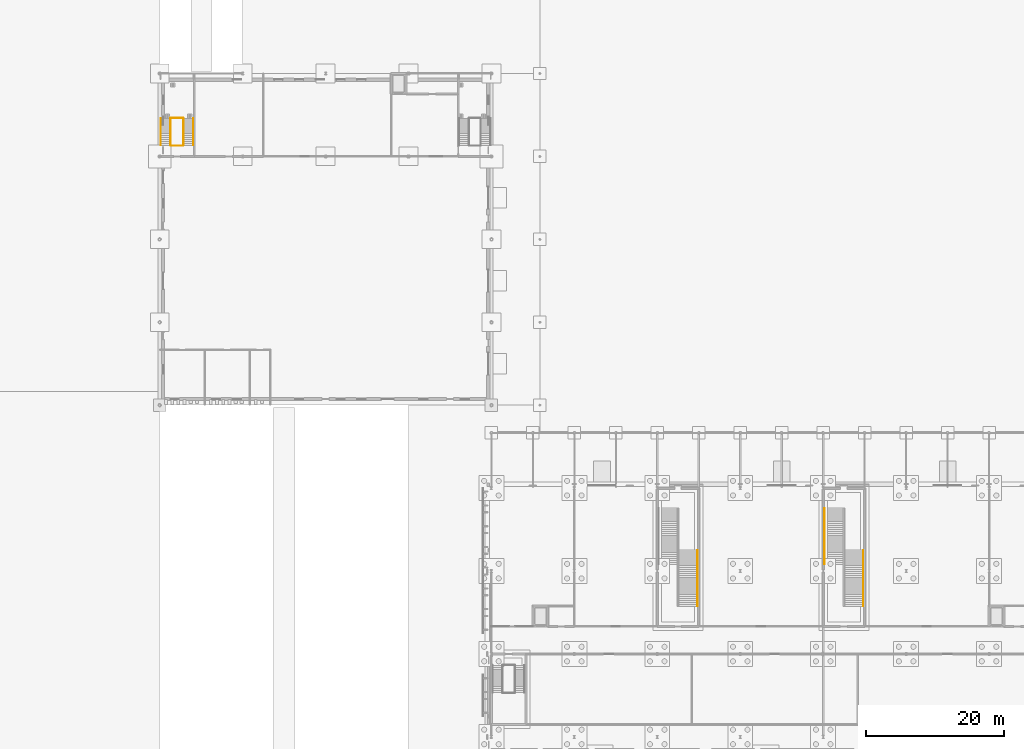
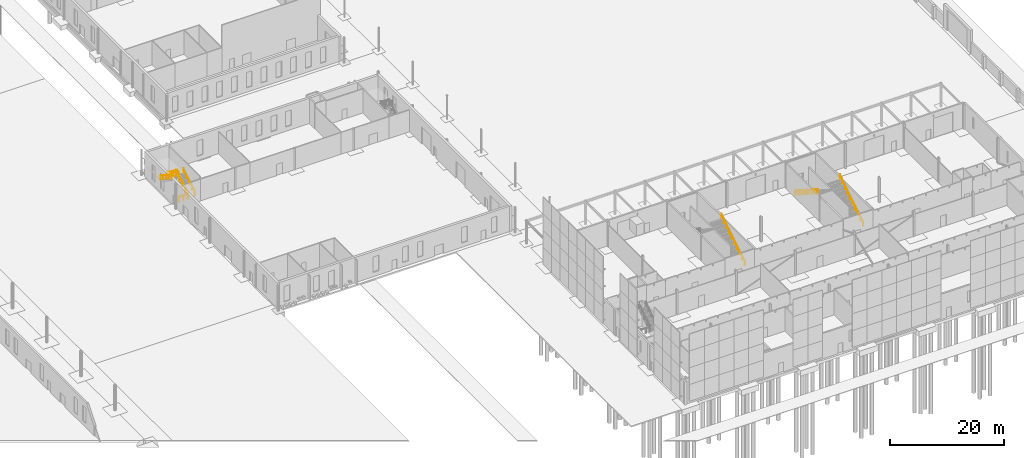
# One storey, part 123 of 132: 9 railings.
"""IFC4 building model written with IfcOpenShell, lengths in metres."""

from ifc_helpers import new_model, si_unit, direction, frame, origin, origin_2d, place, context, subcontext, project, spatial, circle, extrude, material, type_object, element, save


model = new_model("IFC4")

# Units and contexts
model_context = context("Model", 3, precision=1e-05, world=origin(), true_north=direction((0.0, 1.0)))
body_context = subcontext(model_context, "Body", "Model", "MODEL_VIEW")
ifc_project = project(units=[si_unit("LENGTHUNIT", "METRE"), si_unit("AREAUNIT", "SQUARE_METRE"), si_unit("VOLUMEUNIT", "CUBIC_METRE"), si_unit("PLANEANGLEUNIT", "RADIAN"), si_unit("MASSUNIT", "GRAM", prefix="KILO")], contexts=[model_context])

# Site, building, storey
site_placement = place(None, origin())
site = spatial("IfcSite", under=ifc_project, at=site_placement, CompositionType="ELEMENT")
building_placement = place(site_placement, origin())
building = spatial("IfcBuilding", under=site, at=building_placement, Name="Ravi Spectrum Wholesale Market", CompositionType="ELEMENT")
storey_placement = place(building_placement, origin())
storey = spatial("IfcBuildingStorey", under=building, at=storey_placement, Name="L00", CompositionType="ELEMENT", Elevation=0.0)

# Railings
ifc_material_1 = material(Name="Steel S355", Category="steel")
railing_type_1 = type_object("IfcRailingType", Name="Guard 1100", PredefinedType="GUARDRAIL", material=ifc_material_1)
railing_1_placement = place(storey_placement, frame((153.449951171875, 115.60009765625, 0.179931640625)))
element("IfcRailing", 1, at=railing_1_placement, inside=storey, type_object=railing_type_1, Name="L00 S-H2-2 stair guard 1", PredefinedType="GUARDRAIL", context=body_context, shape_type="SweptSolid", body=[
    extrude(circle(Radius=0.02392578125, at=origin_2d()), frame((0.0, 0.0, 1.076171875), z_axis=(0.0, 0.841171666519, 0.540768182723), x_axis=(-1.0, 0.0, 0.0)), (0.0, 0.0, 1.0), 4.66015625),
    extrude(circle(Radius=0.02099609375, at=origin_2d()), origin(), (0.0, 0.0, 1.0), 1.052001953125),
    extrude(circle(Radius=0.02099609375, at=origin_2d()), frame((0.0, 0.97998046875, 0.6298828125)), (0.0, 0.0, 1.0), 1.052001953125),
    extrude(circle(Radius=0.02099609375, at=origin_2d()), frame((0.0, 1.9599609375, 1.260009765625)), (0.0, 0.0, 1.0), 1.052001953125),
    extrude(circle(Radius=0.02099609375, at=origin_2d()), frame((0.0, 2.93994140625, 1.89013671875)), (0.0, 0.0, 1.0), 1.052001953125),
    extrude(circle(Radius=0.02099609375, at=origin_2d()), frame((0.0, 3.919921875, 2.52001953125)), (0.0, 0.0, 1.0), 1.052001953125),
])
railing_2_placement = place(storey_placement, frame((153.39990234375, 119.570068359375, 2.699951171875)))
element("IfcRailing", 2, at=railing_2_placement, inside=storey, type_object=railing_type_1, Name="L00 S-H2-2 stair guard 2", PredefinedType="GUARDRAIL", context=body_context, shape_type="SweptSolid", body=[
    extrude(circle(Radius=0.02392578125, at=origin_2d()), frame((0.0, 0.0, 1.076171875), z_axis=(-1.0, 0.0, 0.0), x_axis=(0.0, -1.0, 0.0)), (0.0, 0.0, 1.0), 1.7998046875),
    extrude(circle(Radius=0.02099609375, at=origin_2d()), origin(), (0.0, 0.0, 1.0), 1.052001953125),
    extrude(circle(Radius=0.02099609375, at=origin_2d()), frame((-0.89990234375, 0.0, 0.0)), (0.0, 0.0, 1.0), 1.052001953125),
    extrude(circle(Radius=0.02099609375, at=origin_2d()), frame((-1.7998046875, 0.0, 0.0)), (0.0, 0.0, 1.0), 1.052001953125),
])
railing_3_placement = place(storey_placement, frame((151.550048828125, 119.52001953125, 2.8798828125)))
element("IfcRailing", 3, at=railing_3_placement, inside=storey, type_object=railing_type_1, Name="L00 S-H2-2 stair guard 3", PredefinedType="GUARDRAIL", context=body_context, shape_type="SweptSolid", body=[
    extrude(circle(Radius=0.02392578125, at=origin_2d()), frame((0.0, 0.0, 1.076171875), z_axis=(0.0, -0.841171666519, 0.540768182723), x_axis=(1.0, 0.0, 0.0)), (0.0, 0.0, 1.0), 4.66015625),
    extrude(circle(Radius=0.02099609375, at=origin_2d()), origin(), (0.0, 0.0, 1.0), 1.052001953125),
    extrude(circle(Radius=0.02099609375, at=origin_2d()), frame((0.0, -0.97998046875, 0.6298828125)), (0.0, 0.0, 1.0), 1.052001953125),
    extrude(circle(Radius=0.02099609375, at=origin_2d()), frame((0.0, -1.9599609375, 1.260009765625)), (0.0, 0.0, 1.0), 1.052001953125),
    extrude(circle(Radius=0.02099609375, at=origin_2d()), frame((0.0, -2.93994140625, 1.89013671875)), (0.0, 0.0, 1.0), 1.052001953125),
    extrude(circle(Radius=0.02099609375, at=origin_2d()), frame((0.0, -3.919921875, 2.52001953125)), (0.0, 0.0, 1.0), 1.052001953125),
])
railing_4_placement = place(storey_placement, frame((153.39990234375, 115.550048828125, 0.0)))
element("IfcRailing", 4, at=railing_4_placement, inside=storey, type_object=railing_type_1, Name="L00 S-H2-2 stair guard 4", PredefinedType="GUARDRAIL", context=body_context, shape_type="SweptSolid", body=[
    extrude(circle(Radius=0.02392578125, at=origin_2d()), frame((0.0, 0.0, 1.076171875), z_axis=(-1.0, 0.0, 0.0), x_axis=(0.0, -1.0, 0.0)), (0.0, 0.0, 1.0), 1.7998046875),
    extrude(circle(Radius=0.02099609375, at=origin_2d()), origin(), (0.0, 0.0, 1.0), 1.052001953125),
    extrude(circle(Radius=0.02099609375, at=origin_2d()), frame((-0.89990234375, 0.0, 0.0)), (0.0, 0.0, 1.0), 1.052001953125),
    extrude(circle(Radius=0.02099609375, at=origin_2d()), frame((-1.7998046875, 0.0, 0.0)), (0.0, 0.0, 1.0), 1.052001953125),
])
ifc_material_2 = material(Name="Stainless steel", Category="steel")
railing_type_2 = type_object("IfcRailingType", Name="Handrail 900", PredefinedType="HANDRAIL", material=ifc_material_2)
railing_5_placement = place(storey_placement, frame((154.85009765625, 115.60009765625, 0.179931640625)))
element("IfcRailing", 5, at=railing_5_placement, inside=storey, type_object=railing_type_2, Name="L00 S-H2-2 stair handrail 1", PredefinedType="HANDRAIL", context=body_context, shape_type="SweptSolid", body=[
    extrude(circle(Radius=0.02392578125, at=origin_2d()), frame((0.0, 0.0, 0.8759765625), z_axis=(0.0, 0.841171666519, 0.540768182723), x_axis=(-1.0, 0.0, 0.0)), (0.0, 0.0, 1.0), 4.66015625),
    extrude(circle(Radius=0.02099609375, at=origin_2d()), origin(), (0.0, 0.0, 1.0), 0.851806640625),
    extrude(circle(Radius=0.02099609375, at=origin_2d()), frame((0.0, 0.97998046875, 0.6298828125)), (0.0, 0.0, 1.0), 0.851806640625),
    extrude(circle(Radius=0.02099609375, at=origin_2d()), frame((0.0, 1.9599609375, 1.260009765625)), (0.0, 0.0, 1.0), 0.851806640625),
    extrude(circle(Radius=0.02099609375, at=origin_2d()), frame((0.0, 2.93994140625, 1.89013671875)), (0.0, 0.0, 1.0), 0.851806640625),
    extrude(circle(Radius=0.02099609375, at=origin_2d()), frame((0.0, 3.919921875, 2.52001953125)), (0.0, 0.0, 1.0), 0.851806640625),
])
railing_6_placement = place(storey_placement, frame((150.14990234375, 119.52001953125, 2.8798828125)))
element("IfcRailing", 6, at=railing_6_placement, inside=storey, type_object=railing_type_2, Name="L00 S-H2-2 stair handrail 2", PredefinedType="HANDRAIL", context=body_context, shape_type="SweptSolid", body=[
    extrude(circle(Radius=0.02392578125, at=origin_2d()), frame((0.0, 0.0, 0.8759765625), z_axis=(0.0, -0.841171666519, 0.540768182723), x_axis=(1.0, 0.0, 0.0)), (0.0, 0.0, 1.0), 4.66015625),
    extrude(circle(Radius=0.02099609375, at=origin_2d()), origin(), (0.0, 0.0, 1.0), 0.851806640625),
    extrude(circle(Radius=0.02099609375, at=origin_2d()), frame((0.0, -0.97998046875, 0.6298828125)), (0.0, 0.0, 1.0), 0.851806640625),
    extrude(circle(Radius=0.02099609375, at=origin_2d()), frame((0.0, -1.9599609375, 1.260009765625)), (0.0, 0.0, 1.0), 0.851806640625),
    extrude(circle(Radius=0.02099609375, at=origin_2d()), frame((0.0, -2.93994140625, 1.89013671875)), (0.0, 0.0, 1.0), 0.851806640625),
    extrude(circle(Radius=0.02099609375, at=origin_2d()), frame((0.0, -3.919921875, 2.52001953125)), (0.0, 0.0, 1.0), 0.851806640625),
])
for number, where, name in (
    (7, (227.800048828125, 48.89990234375, 0.179931640625), "L00 S-CS-3 stair handrail 1"),
    (8, (251.800048828125, 48.89990234375, 0.179931640625), "L00 S-CS-5 stair handrail 1"),
):
    element("IfcRailing", number, at=place(storey_placement, frame(where)), inside=storey, type_object=railing_type_2, Name=name, PredefinedType="HANDRAIL", context=body_context, shape_type="SweptSolid", body=[
        extrude(circle(Radius=0.02392578125, at=origin_2d()), frame((0.0, 0.0, 0.8759765625), z_axis=(0.0, 0.841183405745, 0.540749921775), x_axis=(-1.0, 0.0, 0.0)), (0.0, 0.0, 1.0), 9.6533203125),
        extrude(circle(Radius=0.02099609375, at=origin_2d()), origin(), (0.0, 0.0, 1.0), 0.851806640625),
        extrude(circle(Radius=0.02099609375, at=origin_2d()), frame((0.0, 0.90234375, 0.580078125)), (0.0, 0.0, 1.0), 0.851806640625),
        extrude(circle(Radius=0.02099609375, at=origin_2d()), frame((0.0, 1.804443359375, 1.159912109375)), (0.0, 0.0, 1.0), 0.851806640625),
        extrude(circle(Radius=0.02099609375, at=origin_2d()), frame((0.0, 2.706787109375, 1.739990234375)), (0.0, 0.0, 1.0), 0.851806640625),
        extrude(circle(Radius=0.02099609375, at=origin_2d()), frame((0.0, 3.60888671875, 2.320068359375)), (0.0, 0.0, 1.0), 0.851806640625),
        extrude(circle(Radius=0.02099609375, at=origin_2d()), frame((0.0, 4.51123046875, 2.89990234375)), (0.0, 0.0, 1.0), 0.851806640625),
        extrude(circle(Radius=0.02099609375, at=origin_2d()), frame((0.0, 5.413330078125, 3.47998046875)), (0.0, 0.0, 1.0), 0.851806640625),
        extrude(circle(Radius=0.02099609375, at=origin_2d()), frame((0.0, 6.315673828125, 4.06005859375)), (0.0, 0.0, 1.0), 0.851806640625),
        extrude(circle(Radius=0.02099609375, at=origin_2d()), frame((0.0, 7.2177734375, 4.639892578125)), (0.0, 0.0, 1.0), 0.851806640625),
        extrude(circle(Radius=0.02099609375, at=origin_2d()), frame((0.0, 8.1201171875, 5.219970703125)), (0.0, 0.0, 1.0), 0.851806640625),
    ])
railing_7_placement = place(storey_placement, frame((246.199951171875, 63.10009765625, 0.179931640625)))
element("IfcRailing", 9, at=railing_7_placement, inside=storey, type_object=railing_type_2, Name="L00 S-CS-5 stair handrail 1", PredefinedType="HANDRAIL", context=body_context, shape_type="SweptSolid", body=[
    extrude(circle(Radius=0.02392578125, at=origin_2d()), frame((0.0, 0.0, 0.8759765625), z_axis=(0.0, -0.841183405745, 0.540749921775), x_axis=(1.0, 0.0, 0.0)), (0.0, 0.0, 1.0), 9.6533203125),
    extrude(circle(Radius=0.02099609375, at=origin_2d()), origin(), (0.0, 0.0, 1.0), 0.851806640625),
    extrude(circle(Radius=0.02099609375, at=origin_2d()), frame((0.0, -0.90234375, 0.580078125)), (0.0, 0.0, 1.0), 0.851806640625),
    extrude(circle(Radius=0.02099609375, at=origin_2d()), frame((0.0, -1.804443359375, 1.159912109375)), (0.0, 0.0, 1.0), 0.851806640625),
    extrude(circle(Radius=0.02099609375, at=origin_2d()), frame((0.0, -2.706787109375, 1.739990234375)), (0.0, 0.0, 1.0), 0.851806640625),
    extrude(circle(Radius=0.02099609375, at=origin_2d()), frame((0.0, -3.60888671875, 2.320068359375)), (0.0, 0.0, 1.0), 0.851806640625),
    extrude(circle(Radius=0.02099609375, at=origin_2d()), frame((0.0, -4.51123046875, 2.89990234375)), (0.0, 0.0, 1.0), 0.851806640625),
    extrude(circle(Radius=0.02099609375, at=origin_2d()), frame((0.0, -5.413330078125, 3.47998046875)), (0.0, 0.0, 1.0), 0.851806640625),
    extrude(circle(Radius=0.02099609375, at=origin_2d()), frame((0.0, -6.315673828125, 4.06005859375)), (0.0, 0.0, 1.0), 0.851806640625),
    extrude(circle(Radius=0.02099609375, at=origin_2d()), frame((0.0, -7.2177734375, 4.639892578125)), (0.0, 0.0, 1.0), 0.851806640625),
    extrude(circle(Radius=0.02099609375, at=origin_2d()), frame((0.0, -8.1201171875, 5.219970703125)), (0.0, 0.0, 1.0), 0.851806640625),
])

save(model, "model.ifc")
